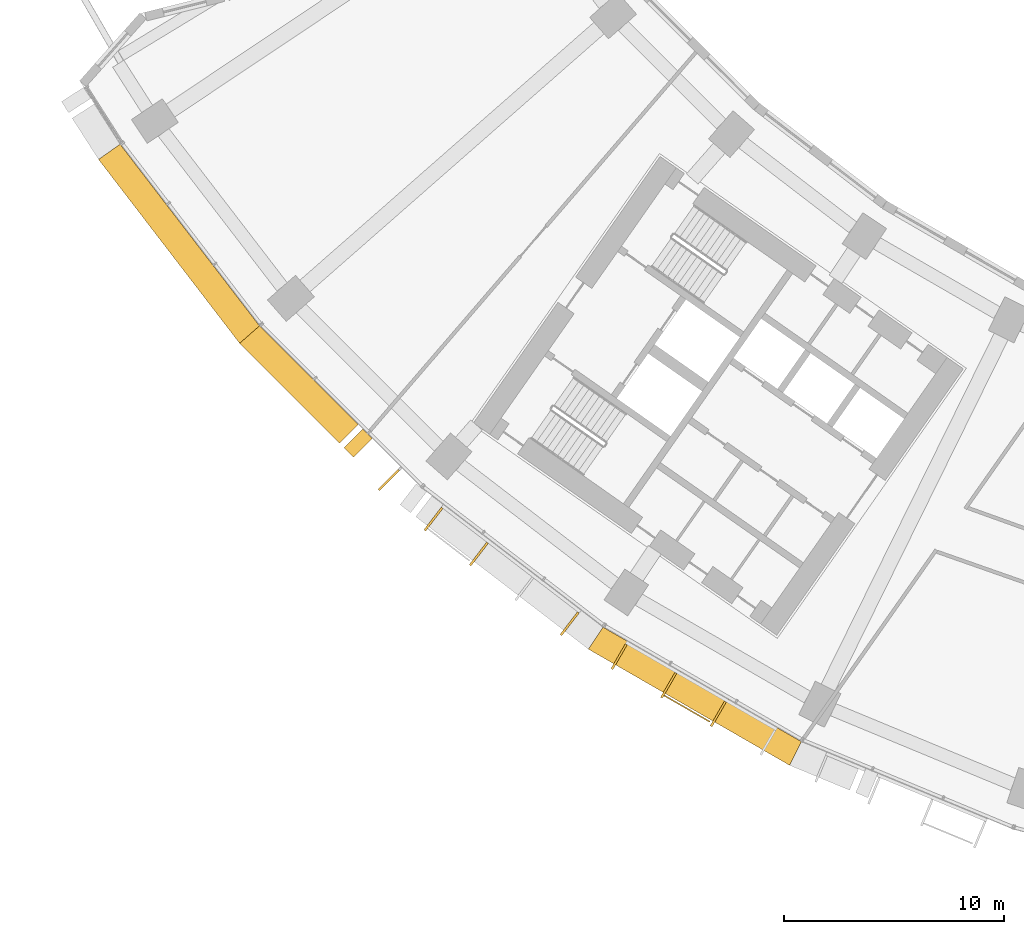
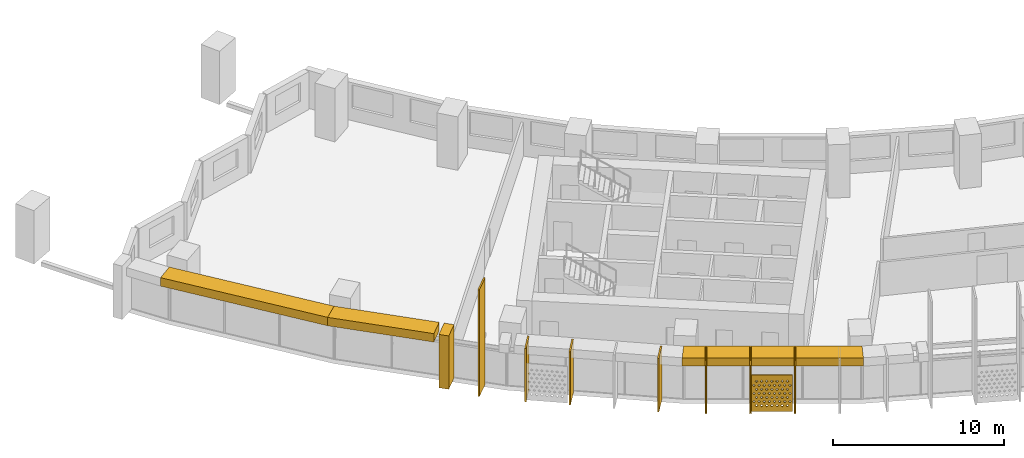
# One storey, part 25 of 33: 12 shading devices.
"""IFC4 building model written with IfcOpenShell, lengths in metres."""

from ifc_helpers import new_model, si_unit, direction, frame, origin, origin_2d, place, context, subcontext, project, spatial, polyline, rectangle, outline, extrude, material, material_profile, profile_set, type_object, element, save


model = new_model("IFC4")

# Units and contexts
model_context = context("Model", 3, precision=1e-05, world=origin(), true_north=direction((0.0, 1.0)))
body_context = subcontext(model_context, "Body", "Model", "MODEL_VIEW")
ifc_project = project(units=[si_unit("LENGTHUNIT", "METRE"), si_unit("AREAUNIT", "SQUARE_METRE"), si_unit("VOLUMEUNIT", "CUBIC_METRE"), si_unit("PLANEANGLEUNIT", "RADIAN"), si_unit("MASSUNIT", "GRAM", prefix="KILO")], contexts=[model_context])

# Site, building, storey
site_placement = place(None, origin())
site = spatial("IfcSite", under=ifc_project, at=site_placement, CompositionType="ELEMENT")
building_placement = place(site_placement, origin())
building = spatial("IfcBuilding", under=site, at=building_placement, Name="Qamariyya Broadcast Tower", CompositionType="ELEMENT")
storey_placement = place(building_placement, frame((0.0, 0.0, 78.5)))
storey = spatial("IfcBuildingStorey", under=building, at=storey_placement, Name="L16", CompositionType="ELEMENT", Elevation=78.5)

# Shading devices
ifc_material_1 = material(Name="Steel S355 powder coated deep red", Category="steel")
shading_device_type_1 = type_object("IfcShadingDeviceType", Name="Deep red frame, powder coated steel box section", PredefinedType="USERDEFINED", material=ifc_material_1)
shading_device_1_placement = place(storey_placement, origin())
element("IfcShadingDevice", 1, at=shading_device_1_placement, inside=storey, type_object=shading_device_type_1, Name="e-frm-B1-F1-postb-L16", ObjectType="FRAME", PredefinedType="USERDEFINED", context=body_context, shape_type="SweptSolid", body=[
    extrude(outline(polyline([(-55.184814453125, -57.21630859375), (-56.033203125, -58.064697265625), (-55.60888671875, -58.489013671875), (-54.760498046875, -57.640380859375), (-55.184814453125, -57.21630859375)])), origin(), (0.0, 0.0, 1.0), 3.800048828125),
])
shading_device_2_placement = place(storey_placement, frame((0.0, 0.0, 3.199951171875)))
element("IfcShadingDevice", 2, at=shading_device_2_placement, inside=storey, type_object=shading_device_type_1, Name="e-frm-B1-F1-top1", ObjectType="FRAME", PredefinedType="USERDEFINED", context=body_context, shape_type="SweptSolid", body=[
    extrude(outline(polyline([(-66.2265625, -44.251220703125), (-67.20947265625, -44.94140625), (-60.7880859375, -53.309814453125), (-59.884033203125, -52.516845703125), (-66.2265625, -44.251220703125)])), origin(), (0.0, 0.0, 1.0), 0.60009765625),
])
shading_device_3_placement = place(storey_placement, frame((0.0, 0.0, 3.199951171875)))
element("IfcShadingDevice", 3, at=shading_device_3_placement, inside=storey, type_object=shading_device_type_1, Name="e-frm-B1-F1-top2", ObjectType="FRAME", PredefinedType="USERDEFINED", context=body_context, shape_type="SweptSolid", body=[
    extrude(outline(polyline([(-59.884033203125, -52.516845703125), (-60.7880859375, -53.309814453125), (-56.245361328125, -57.8525390625), (-55.39697265625, -57.004150390625), (-59.884033203125, -52.516845703125)])), origin(), (0.0, 0.0, 1.0), 0.60009765625),
])
shading_device_4_placement = place(storey_placement, frame((0.0, 0.0, 3.199951171875)))
element("IfcShadingDevice", 4, at=shading_device_4_placement, inside=storey, type_object=shading_device_type_1, Name="e-frm-B1-F2-bot1", ObjectType="FRAME", PredefinedType="USERDEFINED", context=body_context, shape_type="SweptSolid", body=[
    extrude(outline(polyline([(-44.251220703125, -66.2265625), (-44.919189453125, -67.2265625), (-35.76025390625, -72.514404296875), (-35.228271484375, -71.43603515625), (-44.251220703125, -66.2265625)])), origin(), (0.0, 0.0, 1.0), 0.60009765625),
])
ifc_material_2 = material(Name="Perforated glazed terracotta", Category="masonry")
ifc_material_profile_1 = material_profile(ifc_material_2, outline(polyline([(-1.199951171875, -1.300048828125), (1.199951171875, -1.300048828125), (1.199951171875, 1.300048828125), (-1.199951171875, 1.300048828125), (-1.199951171875, -1.300048828125)]), holes=[polyline([(-0.81494140625, -0.86669921875), (-0.89990234375, -0.78173828125), (-0.985107421875, -0.86669921875), (-0.89990234375, -0.95166015625), (-0.81494140625, -0.86669921875)]), polyline([(-0.514892578125, -0.86669921875), (-0.60009765625, -0.78173828125), (-0.68505859375, -0.86669921875), (-0.60009765625, -0.95166015625), (-0.514892578125, -0.86669921875)]), polyline([(-0.215087890625, -0.86669921875), (-0.300048828125, -0.78173828125), (-0.385009765625, -0.86669921875), (-0.300048828125, -0.95166015625), (-0.215087890625, -0.86669921875)]), polyline([(0.0849609375, -0.86669921875), (0.0, -0.78173828125), (-0.0849609375, -0.86669921875), (0.0, -0.95166015625), (0.0849609375, -0.86669921875)]), polyline([(0.385009765625, -0.86669921875), (0.300048828125, -0.78173828125), (0.215087890625, -0.86669921875), (0.300048828125, -0.95166015625), (0.385009765625, -0.86669921875)]), polyline([(0.68505859375, -0.86669921875), (0.60009765625, -0.78173828125), (0.514892578125, -0.86669921875), (0.60009765625, -0.95166015625), (0.68505859375, -0.86669921875)]), polyline([(0.985107421875, -0.86669921875), (0.89990234375, -0.78173828125), (0.81494140625, -0.86669921875), (0.89990234375, -0.95166015625), (0.985107421875, -0.86669921875)]), polyline([(-0.965087890625, -0.577880859375), (-1.050048828125, -0.49267578125), (-1.135009765625, -0.577880859375), (-1.050048828125, -0.662841796875), (-0.965087890625, -0.577880859375)]), polyline([(-0.6650390625, -0.577880859375), (-0.75, -0.49267578125), (-0.8349609375, -0.577880859375), (-0.75, -0.662841796875), (-0.6650390625, -0.577880859375)]), polyline([(-0.364990234375, -0.577880859375), (-0.449951171875, -0.49267578125), (-0.534912109375, -0.577880859375), (-0.449951171875, -0.662841796875), (-0.364990234375, -0.577880859375)]), polyline([(-0.06494140625, -0.577880859375), (-0.14990234375, -0.49267578125), (-0.235107421875, -0.577880859375), (-0.14990234375, -0.662841796875), (-0.06494140625, -0.577880859375)]), polyline([(0.235107421875, -0.577880859375), (0.14990234375, -0.49267578125), (0.06494140625, -0.577880859375), (0.14990234375, -0.662841796875), (0.235107421875, -0.577880859375)]), polyline([(0.534912109375, -0.577880859375), (0.449951171875, -0.49267578125), (0.364990234375, -0.577880859375), (0.449951171875, -0.662841796875), (0.534912109375, -0.577880859375)]), polyline([(0.8349609375, -0.577880859375), (0.75, -0.49267578125), (0.6650390625, -0.577880859375), (0.75, -0.662841796875), (0.8349609375, -0.577880859375)]), polyline([(1.135009765625, -0.577880859375), (1.050048828125, -0.49267578125), (0.965087890625, -0.577880859375), (1.050048828125, -0.662841796875), (1.135009765625, -0.577880859375)]), polyline([(-0.81494140625, -0.288818359375), (-0.89990234375, -0.203857421875), (-0.985107421875, -0.288818359375), (-0.89990234375, -0.373779296875), (-0.81494140625, -0.288818359375)]), polyline([(-0.514892578125, -0.288818359375), (-0.60009765625, -0.203857421875), (-0.68505859375, -0.288818359375), (-0.60009765625, -0.373779296875), (-0.514892578125, -0.288818359375)]), polyline([(-0.215087890625, -0.288818359375), (-0.300048828125, -0.203857421875), (-0.385009765625, -0.288818359375), (-0.300048828125, -0.373779296875), (-0.215087890625, -0.288818359375)]), polyline([(0.0849609375, -0.288818359375), (0.0, -0.203857421875), (-0.0849609375, -0.288818359375), (0.0, -0.373779296875), (0.0849609375, -0.288818359375)]), polyline([(0.385009765625, -0.288818359375), (0.300048828125, -0.203857421875), (0.215087890625, -0.288818359375), (0.300048828125, -0.373779296875), (0.385009765625, -0.288818359375)]), polyline([(0.68505859375, -0.288818359375), (0.60009765625, -0.203857421875), (0.514892578125, -0.288818359375), (0.60009765625, -0.373779296875), (0.68505859375, -0.288818359375)]), polyline([(0.985107421875, -0.288818359375), (0.89990234375, -0.203857421875), (0.81494140625, -0.288818359375), (0.89990234375, -0.373779296875), (0.985107421875, -0.288818359375)]), polyline([(-0.965087890625, 0.0), (-1.050048828125, 0.0849609375), (-1.135009765625, 0.0), (-1.050048828125, -0.0849609375), (-0.965087890625, 0.0)]), polyline([(-0.6650390625, 0.0), (-0.75, 0.0849609375), (-0.8349609375, 0.0), (-0.75, -0.0849609375), (-0.6650390625, 0.0)]), polyline([(-0.364990234375, 0.0), (-0.449951171875, 0.0849609375), (-0.534912109375, 0.0), (-0.449951171875, -0.0849609375), (-0.364990234375, 0.0)]), polyline([(-0.06494140625, 0.0), (-0.14990234375, 0.0849609375), (-0.235107421875, 0.0), (-0.14990234375, -0.0849609375), (-0.06494140625, 0.0)]), polyline([(0.235107421875, 0.0), (0.14990234375, 0.0849609375), (0.06494140625, 0.0), (0.14990234375, -0.0849609375), (0.235107421875, 0.0)]), polyline([(0.534912109375, 0.0), (0.449951171875, 0.0849609375), (0.364990234375, 0.0), (0.449951171875, -0.0849609375), (0.534912109375, 0.0)]), polyline([(0.8349609375, 0.0), (0.75, 0.0849609375), (0.6650390625, 0.0), (0.75, -0.0849609375), (0.8349609375, 0.0)]), polyline([(1.135009765625, 0.0), (1.050048828125, 0.0849609375), (0.965087890625, 0.0), (1.050048828125, -0.0849609375), (1.135009765625, 0.0)]), polyline([(-0.81494140625, 0.288818359375), (-0.89990234375, 0.373779296875), (-0.985107421875, 0.288818359375), (-0.89990234375, 0.203857421875), (-0.81494140625, 0.288818359375)]), polyline([(-0.514892578125, 0.288818359375), (-0.60009765625, 0.373779296875), (-0.68505859375, 0.288818359375), (-0.60009765625, 0.203857421875), (-0.514892578125, 0.288818359375)]), polyline([(-0.215087890625, 0.288818359375), (-0.300048828125, 0.373779296875), (-0.385009765625, 0.288818359375), (-0.300048828125, 0.203857421875), (-0.215087890625, 0.288818359375)]), polyline([(0.0849609375, 0.288818359375), (0.0, 0.373779296875), (-0.0849609375, 0.288818359375), (0.0, 0.203857421875), (0.0849609375, 0.288818359375)]), polyline([(0.385009765625, 0.288818359375), (0.300048828125, 0.373779296875), (0.215087890625, 0.288818359375), (0.300048828125, 0.203857421875), (0.385009765625, 0.288818359375)]), polyline([(0.68505859375, 0.288818359375), (0.60009765625, 0.373779296875), (0.514892578125, 0.288818359375), (0.60009765625, 0.203857421875), (0.68505859375, 0.288818359375)]), polyline([(0.985107421875, 0.288818359375), (0.89990234375, 0.373779296875), (0.81494140625, 0.288818359375), (0.89990234375, 0.203857421875), (0.985107421875, 0.288818359375)]), polyline([(-0.965087890625, 0.577880859375), (-1.050048828125, 0.662841796875), (-1.135009765625, 0.577880859375), (-1.050048828125, 0.49267578125), (-0.965087890625, 0.577880859375)]), polyline([(-0.6650390625, 0.577880859375), (-0.75, 0.662841796875), (-0.8349609375, 0.577880859375), (-0.75, 0.49267578125), (-0.6650390625, 0.577880859375)]), polyline([(-0.364990234375, 0.577880859375), (-0.449951171875, 0.662841796875), (-0.534912109375, 0.577880859375), (-0.449951171875, 0.49267578125), (-0.364990234375, 0.577880859375)]), polyline([(-0.06494140625, 0.577880859375), (-0.14990234375, 0.662841796875), (-0.235107421875, 0.577880859375), (-0.14990234375, 0.49267578125), (-0.06494140625, 0.577880859375)]), polyline([(0.235107421875, 0.577880859375), (0.14990234375, 0.662841796875), (0.06494140625, 0.577880859375), (0.14990234375, 0.49267578125), (0.235107421875, 0.577880859375)]), polyline([(0.534912109375, 0.577880859375), (0.449951171875, 0.662841796875), (0.364990234375, 0.577880859375), (0.449951171875, 0.49267578125), (0.534912109375, 0.577880859375)]), polyline([(0.8349609375, 0.577880859375), (0.75, 0.662841796875), (0.6650390625, 0.577880859375), (0.75, 0.49267578125), (0.8349609375, 0.577880859375)]), polyline([(1.135009765625, 0.577880859375), (1.050048828125, 0.662841796875), (0.965087890625, 0.577880859375), (1.050048828125, 0.49267578125), (1.135009765625, 0.577880859375)]), polyline([(-0.81494140625, 0.86669921875), (-0.89990234375, 0.95166015625), (-0.985107421875, 0.86669921875), (-0.89990234375, 0.78173828125), (-0.81494140625, 0.86669921875)]), polyline([(-0.514892578125, 0.86669921875), (-0.60009765625, 0.95166015625), (-0.68505859375, 0.86669921875), (-0.60009765625, 0.78173828125), (-0.514892578125, 0.86669921875)]), polyline([(-0.215087890625, 0.86669921875), (-0.300048828125, 0.95166015625), (-0.385009765625, 0.86669921875), (-0.300048828125, 0.78173828125), (-0.215087890625, 0.86669921875)]), polyline([(0.0849609375, 0.86669921875), (0.0, 0.95166015625), (-0.0849609375, 0.86669921875), (0.0, 0.78173828125), (0.0849609375, 0.86669921875)]), polyline([(0.385009765625, 0.86669921875), (0.300048828125, 0.95166015625), (0.215087890625, 0.86669921875), (0.300048828125, 0.78173828125), (0.385009765625, 0.86669921875)]), polyline([(0.68505859375, 0.86669921875), (0.60009765625, 0.95166015625), (0.514892578125, 0.86669921875), (0.60009765625, 0.78173828125), (0.68505859375, 0.86669921875)]), polyline([(0.985107421875, 0.86669921875), (0.89990234375, 0.95166015625), (0.81494140625, 0.86669921875), (0.89990234375, 0.78173828125), (0.985107421875, 0.86669921875)])]))
ifc_profile_set_1 = profile_set([ifc_material_profile_1], Name="Perforated glazed terracotta")
shading_device_type_2 = type_object("IfcShadingDeviceType", Name="Perforated terracotta screen 2400 x 2600", PredefinedType="USERDEFINED", material=ifc_profile_set_1)
shading_device_5_placement = place(storey_placement, frame((-40.420166015625, -69.905029296875, 1.35009765625), z_axis=(-0.498778343083, -0.866729579783, 0.0), x_axis=(0.866729579783, -0.498778343083, 0.0)))
element("IfcShadingDevice", 5, at=shading_device_5_placement, inside=storey, type_object=shading_device_type_2, Name="e-scr-L16-04-1", ObjectType="SCREEN", PredefinedType="USERDEFINED", context=body_context, shape_type="SweptSolid", body=[
    extrude(outline(polyline([(-1.199951171875, -1.300048828125), (1.199951171875, -1.300048828125), (1.199951171875, 1.300048828125), (-1.199951171875, 1.300048828125), (-1.199951171875, -1.300048828125)]), holes=[polyline([(-0.81494140625, -0.86669921875), (-0.89990234375, -0.78173828125), (-0.985107421875, -0.86669921875), (-0.89990234375, -0.95166015625), (-0.81494140625, -0.86669921875)]), polyline([(-0.514892578125, -0.86669921875), (-0.60009765625, -0.78173828125), (-0.68505859375, -0.86669921875), (-0.60009765625, -0.95166015625), (-0.514892578125, -0.86669921875)]), polyline([(-0.215087890625, -0.86669921875), (-0.300048828125, -0.78173828125), (-0.385009765625, -0.86669921875), (-0.300048828125, -0.95166015625), (-0.215087890625, -0.86669921875)]), polyline([(0.0849609375, -0.86669921875), (0.0, -0.78173828125), (-0.0849609375, -0.86669921875), (0.0, -0.95166015625), (0.0849609375, -0.86669921875)]), polyline([(0.385009765625, -0.86669921875), (0.300048828125, -0.78173828125), (0.215087890625, -0.86669921875), (0.300048828125, -0.95166015625), (0.385009765625, -0.86669921875)]), polyline([(0.68505859375, -0.86669921875), (0.60009765625, -0.78173828125), (0.514892578125, -0.86669921875), (0.60009765625, -0.95166015625), (0.68505859375, -0.86669921875)]), polyline([(0.985107421875, -0.86669921875), (0.89990234375, -0.78173828125), (0.81494140625, -0.86669921875), (0.89990234375, -0.95166015625), (0.985107421875, -0.86669921875)]), polyline([(-0.965087890625, -0.577880859375), (-1.050048828125, -0.49267578125), (-1.135009765625, -0.577880859375), (-1.050048828125, -0.662841796875), (-0.965087890625, -0.577880859375)]), polyline([(-0.6650390625, -0.577880859375), (-0.75, -0.49267578125), (-0.8349609375, -0.577880859375), (-0.75, -0.662841796875), (-0.6650390625, -0.577880859375)]), polyline([(-0.364990234375, -0.577880859375), (-0.449951171875, -0.49267578125), (-0.534912109375, -0.577880859375), (-0.449951171875, -0.662841796875), (-0.364990234375, -0.577880859375)]), polyline([(-0.06494140625, -0.577880859375), (-0.14990234375, -0.49267578125), (-0.235107421875, -0.577880859375), (-0.14990234375, -0.662841796875), (-0.06494140625, -0.577880859375)]), polyline([(0.235107421875, -0.577880859375), (0.14990234375, -0.49267578125), (0.06494140625, -0.577880859375), (0.14990234375, -0.662841796875), (0.235107421875, -0.577880859375)]), polyline([(0.534912109375, -0.577880859375), (0.449951171875, -0.49267578125), (0.364990234375, -0.577880859375), (0.449951171875, -0.662841796875), (0.534912109375, -0.577880859375)]), polyline([(0.8349609375, -0.577880859375), (0.75, -0.49267578125), (0.6650390625, -0.577880859375), (0.75, -0.662841796875), (0.8349609375, -0.577880859375)]), polyline([(1.135009765625, -0.577880859375), (1.050048828125, -0.49267578125), (0.965087890625, -0.577880859375), (1.050048828125, -0.662841796875), (1.135009765625, -0.577880859375)]), polyline([(-0.81494140625, -0.288818359375), (-0.89990234375, -0.203857421875), (-0.985107421875, -0.288818359375), (-0.89990234375, -0.373779296875), (-0.81494140625, -0.288818359375)]), polyline([(-0.514892578125, -0.288818359375), (-0.60009765625, -0.203857421875), (-0.68505859375, -0.288818359375), (-0.60009765625, -0.373779296875), (-0.514892578125, -0.288818359375)]), polyline([(-0.215087890625, -0.288818359375), (-0.300048828125, -0.203857421875), (-0.385009765625, -0.288818359375), (-0.300048828125, -0.373779296875), (-0.215087890625, -0.288818359375)]), polyline([(0.0849609375, -0.288818359375), (0.0, -0.203857421875), (-0.0849609375, -0.288818359375), (0.0, -0.373779296875), (0.0849609375, -0.288818359375)]), polyline([(0.385009765625, -0.288818359375), (0.300048828125, -0.203857421875), (0.215087890625, -0.288818359375), (0.300048828125, -0.373779296875), (0.385009765625, -0.288818359375)]), polyline([(0.68505859375, -0.288818359375), (0.60009765625, -0.203857421875), (0.514892578125, -0.288818359375), (0.60009765625, -0.373779296875), (0.68505859375, -0.288818359375)]), polyline([(0.985107421875, -0.288818359375), (0.89990234375, -0.203857421875), (0.81494140625, -0.288818359375), (0.89990234375, -0.373779296875), (0.985107421875, -0.288818359375)]), polyline([(-0.965087890625, 0.0), (-1.050048828125, 0.0849609375), (-1.135009765625, 0.0), (-1.050048828125, -0.0849609375), (-0.965087890625, 0.0)]), polyline([(-0.6650390625, 0.0), (-0.75, 0.0849609375), (-0.8349609375, 0.0), (-0.75, -0.0849609375), (-0.6650390625, 0.0)]), polyline([(-0.364990234375, 0.0), (-0.449951171875, 0.0849609375), (-0.534912109375, 0.0), (-0.449951171875, -0.0849609375), (-0.364990234375, 0.0)]), polyline([(-0.06494140625, 0.0), (-0.14990234375, 0.0849609375), (-0.235107421875, 0.0), (-0.14990234375, -0.0849609375), (-0.06494140625, 0.0)]), polyline([(0.235107421875, 0.0), (0.14990234375, 0.0849609375), (0.06494140625, 0.0), (0.14990234375, -0.0849609375), (0.235107421875, 0.0)]), polyline([(0.534912109375, 0.0), (0.449951171875, 0.0849609375), (0.364990234375, 0.0), (0.449951171875, -0.0849609375), (0.534912109375, 0.0)]), polyline([(0.8349609375, 0.0), (0.75, 0.0849609375), (0.6650390625, 0.0), (0.75, -0.0849609375), (0.8349609375, 0.0)]), polyline([(1.135009765625, 0.0), (1.050048828125, 0.0849609375), (0.965087890625, 0.0), (1.050048828125, -0.0849609375), (1.135009765625, 0.0)]), polyline([(-0.81494140625, 0.288818359375), (-0.89990234375, 0.373779296875), (-0.985107421875, 0.288818359375), (-0.89990234375, 0.203857421875), (-0.81494140625, 0.288818359375)]), polyline([(-0.514892578125, 0.288818359375), (-0.60009765625, 0.373779296875), (-0.68505859375, 0.288818359375), (-0.60009765625, 0.203857421875), (-0.514892578125, 0.288818359375)]), polyline([(-0.215087890625, 0.288818359375), (-0.300048828125, 0.373779296875), (-0.385009765625, 0.288818359375), (-0.300048828125, 0.203857421875), (-0.215087890625, 0.288818359375)]), polyline([(0.0849609375, 0.288818359375), (0.0, 0.373779296875), (-0.0849609375, 0.288818359375), (0.0, 0.203857421875), (0.0849609375, 0.288818359375)]), polyline([(0.385009765625, 0.288818359375), (0.300048828125, 0.373779296875), (0.215087890625, 0.288818359375), (0.300048828125, 0.203857421875), (0.385009765625, 0.288818359375)]), polyline([(0.68505859375, 0.288818359375), (0.60009765625, 0.373779296875), (0.514892578125, 0.288818359375), (0.60009765625, 0.203857421875), (0.68505859375, 0.288818359375)]), polyline([(0.985107421875, 0.288818359375), (0.89990234375, 0.373779296875), (0.81494140625, 0.288818359375), (0.89990234375, 0.203857421875), (0.985107421875, 0.288818359375)]), polyline([(-0.965087890625, 0.577880859375), (-1.050048828125, 0.662841796875), (-1.135009765625, 0.577880859375), (-1.050048828125, 0.49267578125), (-0.965087890625, 0.577880859375)]), polyline([(-0.6650390625, 0.577880859375), (-0.75, 0.662841796875), (-0.8349609375, 0.577880859375), (-0.75, 0.49267578125), (-0.6650390625, 0.577880859375)]), polyline([(-0.364990234375, 0.577880859375), (-0.449951171875, 0.662841796875), (-0.534912109375, 0.577880859375), (-0.449951171875, 0.49267578125), (-0.364990234375, 0.577880859375)]), polyline([(-0.06494140625, 0.577880859375), (-0.14990234375, 0.662841796875), (-0.235107421875, 0.577880859375), (-0.14990234375, 0.49267578125), (-0.06494140625, 0.577880859375)]), polyline([(0.235107421875, 0.577880859375), (0.14990234375, 0.662841796875), (0.06494140625, 0.577880859375), (0.14990234375, 0.49267578125), (0.235107421875, 0.577880859375)]), polyline([(0.534912109375, 0.577880859375), (0.449951171875, 0.662841796875), (0.364990234375, 0.577880859375), (0.449951171875, 0.49267578125), (0.534912109375, 0.577880859375)]), polyline([(0.8349609375, 0.577880859375), (0.75, 0.662841796875), (0.6650390625, 0.577880859375), (0.75, 0.49267578125), (0.8349609375, 0.577880859375)]), polyline([(1.135009765625, 0.577880859375), (1.050048828125, 0.662841796875), (0.965087890625, 0.577880859375), (1.050048828125, 0.49267578125), (1.135009765625, 0.577880859375)]), polyline([(-0.81494140625, 0.86669921875), (-0.89990234375, 0.95166015625), (-0.985107421875, 0.86669921875), (-0.89990234375, 0.78173828125), (-0.81494140625, 0.86669921875)]), polyline([(-0.514892578125, 0.86669921875), (-0.60009765625, 0.95166015625), (-0.68505859375, 0.86669921875), (-0.60009765625, 0.78173828125), (-0.514892578125, 0.86669921875)]), polyline([(-0.215087890625, 0.86669921875), (-0.300048828125, 0.95166015625), (-0.385009765625, 0.86669921875), (-0.300048828125, 0.78173828125), (-0.215087890625, 0.86669921875)]), polyline([(0.0849609375, 0.86669921875), (0.0, 0.95166015625), (-0.0849609375, 0.86669921875), (0.0, 0.78173828125), (0.0849609375, 0.86669921875)]), polyline([(0.385009765625, 0.86669921875), (0.300048828125, 0.95166015625), (0.215087890625, 0.86669921875), (0.300048828125, 0.78173828125), (0.385009765625, 0.86669921875)]), polyline([(0.68505859375, 0.86669921875), (0.60009765625, 0.95166015625), (0.514892578125, 0.86669921875), (0.60009765625, 0.78173828125), (0.68505859375, 0.86669921875)]), polyline([(0.985107421875, 0.86669921875), (0.89990234375, 0.95166015625), (0.81494140625, 0.86669921875), (0.89990234375, 0.78173828125), (0.985107421875, 0.86669921875)])]), origin(), (0.0, 0.0, 1.0), 0.059814453125),
])
ifc_material_3 = material(Name="Glazed terracotta", Category="masonry")
ifc_material_profile_2 = material_profile(ifc_material_3, rectangle(XDim=1.300048828125, YDim=0.10009765625, at=origin_2d()))
ifc_profile_set_2 = profile_set([ifc_material_profile_2], Name="Glazed terracotta")
shading_device_type_3 = type_object("IfcShadingDeviceType", Name="Terracotta fin 100 x 1300", PredefinedType="USERDEFINED", material=ifc_profile_set_2)
shading_device_6_placement = place(storey_placement, frame((-54.00341796875, -59.52880859375, 0.0), z_axis=(0.0, 0.0, 1.0), x_axis=(-0.707106781187, -0.707106781187, 0.0)))
element("IfcShadingDevice", 6, at=shading_device_6_placement, inside=storey, type_object=shading_device_type_3, Name="e-fin-L16-02-3", ObjectType="FIN", PredefinedType="USERDEFINED", context=body_context, shape_type="SweptSolid", body=[
    extrude(rectangle(XDim=1.300048828125, YDim=0.10009765625, at=origin_2d()), origin(), (0.0, 0.0, 1.0), 7.60009765625),
])
for number, where, z_axis, x_axis, name in (
    (7, (-51.970703125, -61.3115234375, 0.0), (0.0, 0.0, 1.0), (-0.608761429009, -0.793353340291, 0.0), "e-fin-L16-03-0"),
    (8, (-49.904296875, -62.897216796875, 0.0), (0.0, 0.0, 1.0), (-0.608761429009, -0.793353340291, 0.0), "e-fin-L16-03-1"),
    (9, (-45.771484375, -66.068359375, 0.0), (0.0, 0.0, 1.0), (-0.608761429009, -0.793353340291, 0.0), "e-fin-L16-03-3"),
    (10, (-43.523193359375, -67.570556640625, 0.0), (0.0, 0.0, 1.0), (-0.5, -0.866025403784, 0.0), "e-fin-L16-04-0"),
    (11, (-41.267578125, -68.872802734375, 0.0), (0.0, 0.0, 1.0), (-0.5, -0.866025403784, 0.0), "e-fin-L16-04-1"),
    (12, (-39.011962890625, -70.17529296875, 0.0), (0.0, 0.0, 1.0), (-0.5, -0.866025403784, 0.0), "e-fin-L16-04-2"),
):
    element("IfcShadingDevice", number, at=place(storey_placement, frame(where, z_axis=z_axis, x_axis=x_axis)), inside=storey, type_object=shading_device_type_3, Name=name, ObjectType="FIN", PredefinedType="USERDEFINED", context=body_context, shape_type="SweptSolid", body=[
        extrude(rectangle(XDim=1.300048828125, YDim=0.10009765625, at=origin_2d()), origin(), (0.0, 0.0, 1.0), 3.800048828125),
    ])

save(model, "model.ifc")
